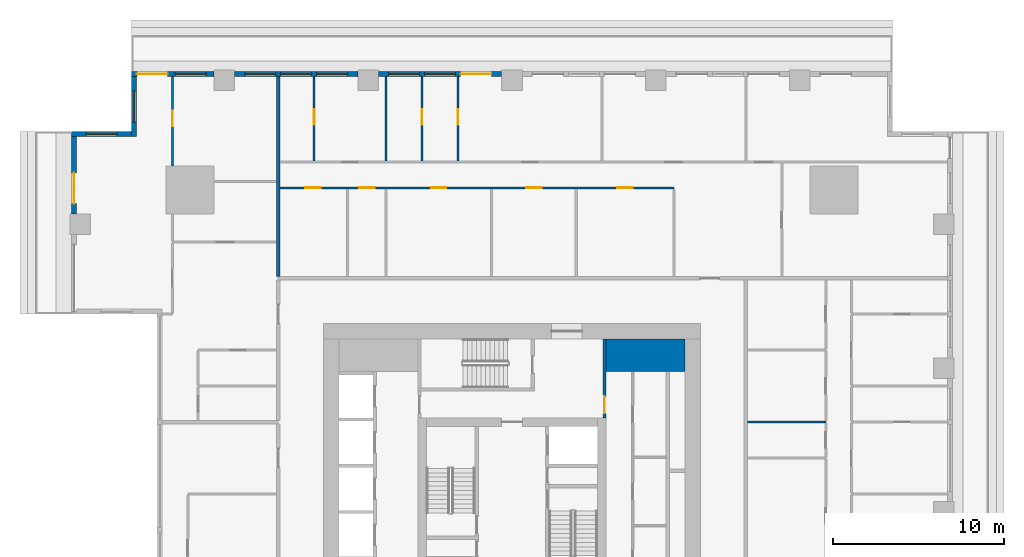
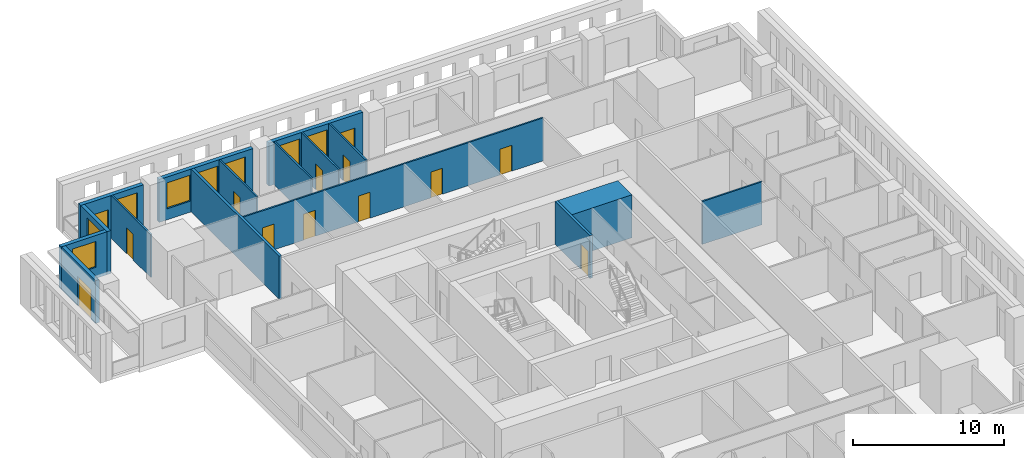
# One storey, part 7 of 14: 16 walls, 13 doors, 8 windows, 21 openings.
"""IFC4 building model written with IfcOpenShell, lengths in metres."""

from ifc_helpers import new_model, si_unit, direction, frame, frame_2d, origin, place, context, subcontext, project, spatial, rectangle, extrude, material, layer, layer_set, type_object, element, fill, save


model = new_model("IFC4")

# Units and contexts
model_context = context("Model", 3, precision=1e-05, world=origin(), true_north=direction((0.0, 1.0)))
body_context = subcontext(model_context, "Body", "Model", "MODEL_VIEW")
ifc_project = project(units=[si_unit("LENGTHUNIT", "METRE"), si_unit("AREAUNIT", "SQUARE_METRE"), si_unit("VOLUMEUNIT", "CUBIC_METRE"), si_unit("PLANEANGLEUNIT", "RADIAN"), si_unit("MASSUNIT", "GRAM", prefix="KILO")], contexts=[model_context])

# Site, building, storey
site_placement = place(None, origin())
site = spatial("IfcSite", under=ifc_project, at=site_placement, CompositionType="ELEMENT")
building_placement = place(site_placement, origin())
building = spatial("IfcBuilding", under=site, at=building_placement, Name="Khepri Terraces", CompositionType="ELEMENT")
storey_placement = place(building_placement, frame((0.0, 0.0, 114.300048828125)))
storey = spatial("IfcBuildingStorey", under=building, at=storey_placement, Name="L27", CompositionType="ELEMENT", Elevation=114.300048828125)

# Wall
ifc_material_1 = material(Name="Concrete C70/85", Category="concrete")
ifc_layer_1 = layer(ifc_material_1, 1.89990234375, Name="Concrete C70/85", Category="concrete")
ifc_layer_set_1 = layer_set([ifc_layer_1], Name="Concrete C70/85")
wall_type_1 = type_object("IfcWallType", Name="Core wall 1900 C70/85", PredefinedType="SHEAR", material=ifc_layer_set_1)
wall_1_placement = place(storey_placement, frame((5.5, 9.14990234375, 0.0), z_axis=(0.0, 0.0, 1.0), x_axis=(1.0, 0.0, 0.0)))
element("IfcWall", 1, at=wall_1_placement, inside=storey, type_object=wall_type_1, Name="Core wall PR04 L27", PredefinedType="SHEAR", context=body_context, shape_type="SweptSolid", body=[
    extrude(rectangle(XDim=4.60009765625, YDim=1.89990234375, at=frame_2d((2.300048828125, 0.0))), origin(), (0.0, 0.0, 1.0), 3.47998046875),
])

# Wall, opening, door
ifc_material_2 = material(Name="Fire-rated gypsum board partition")
ifc_layer_2 = layer(ifc_material_2, 0.199951171875, Name="Fire-rated gypsum board partition")
ifc_layer_set_2 = layer_set([ifc_layer_2], Name="Fire-rated gypsum board partition")
wall_type_2 = type_object("IfcWallType", Name="WL-CORE-PART-200", PredefinedType="PARTITIONING", material=ifc_layer_set_2)
wall_2_placement = place(storey_placement, frame((5.39990234375, 5.5, 0.0), z_axis=(0.0, 0.0, 1.0), x_axis=(0.0, 1.0, 0.0)))
wall_2 = element("IfcWall", 2, at=wall_2_placement, inside=storey, type_object=wall_type_2, Name="Core partition PT08 L27", PredefinedType="PARTITIONING", context=body_context, shape_type="SweptSolid", body=[
    extrude(rectangle(XDim=4.60009765625, YDim=0.199951171875, at=frame_2d((2.300048828125, 0.0))), origin(), (0.0, 0.0, 1.0), 3.47998046875),
])
opening_1_placement = place(wall_2_placement, frame((0.25, 0.0, 0.0)))
opening_1 = element("IfcOpeningElement", 3, at=opening_1_placement, cuts=wall_2, Name="Opening L27-C17", PredefinedType="OPENING", context=body_context, shape_type="SweptSolid", body=[
    extrude(rectangle(XDim=1.0, YDim=2.10009765625, at=frame_2d((0.5, 1.050048828125))), frame((0.0, 0.10986328125, 0.0), z_axis=(0.0, -1.0, 0.0), x_axis=(1.0, 0.0, 0.0)), (0.0, 0.0, 1.0), 0.219970703125),
])
ifc_material_3 = material(Name="Painted steel", Category="steel")
door_type_1 = type_object("IfcDoorType", Name="DR-CORE-LOBBY-1000", OperationType="NOTDEFINED", PredefinedType="DOOR", material=ifc_material_3)
door_1_placement = place(opening_1_placement, origin())
door_1 = element("IfcDoor", 4, at=door_1_placement, inside=storey, type_object=door_type_1, Name="Lobby door L27-C17", OperationType="SINGLE_SWING_LEFT", OverallHeight=2.10009765625, OverallWidth=1.0, PredefinedType="DOOR", context=body_context, shape_type="SweptSolid", body=[
    extrude(rectangle(XDim=1.0, YDim=2.10009765625, at=frame_2d((0.5, 1.050048828125))), frame((0.0, 0.02490234375, 0.0), z_axis=(0.0, -1.0, 0.0), x_axis=(1.0, 0.0, 0.0)), (0.0, 0.0, 1.0), 0.050048828125),
])
fill(opening_1, door_1)

# Wall
ifc_material_4 = material(Name="Fire-rated gypsum plasterboard partition, mineral wool")
ifc_layer_3 = layer(ifc_material_4, 0.199951171875, Name="Fire-rated gypsum plasterboard partition, mineral wool")
ifc_layer_set_3 = layer_set([ifc_layer_3], Name="Fire-rated gypsum plasterboard partition, mineral wool")
wall_type_3 = type_object("IfcWallType", Name="WL-CORR-200", PredefinedType="PARTITIONING", material=ifc_layer_set_3)
wall_3_placement = place(storey_placement, frame((-13.64990234375, 13.75, 0.0), z_axis=(0.0, 0.0, 1.0), x_axis=(0.0, 1.0, 0.0)))
element("IfcWall", 5, at=wall_3_placement, inside=storey, type_object=wall_type_3, Name="Partition P-068 L27", PredefinedType="PARTITIONING", context=body_context, shape_type="SweptSolid", body=[
    extrude(rectangle(XDim=11.669921875, YDim=0.199951171875, at=frame_2d((5.8349609375, 0.0))), origin(), (0.0, 0.0, 1.0), 3.47998046875),
])

# Wall, openings, door, windows
ifc_material_5 = material(Name="Precast concrete C50/60 warm stone", Category="masonry")
ifc_layer_4 = layer(ifc_material_5, 0.300048828125, Name="Precast concrete C50/60 warm stone", Category="masonry")
ifc_layer_set_4 = layer_set([ifc_layer_4], Name="Precast concrete C50/60 warm stone")
wall_type_4 = type_object("IfcWallType", Name="WL-EXT-PRECAST-300", PredefinedType="STANDARD", material=ifc_layer_set_4)
wall_4_placement = place(storey_placement, frame((-0.60009765625, 25.570068359375, 0.0), z_axis=(0.0, 0.0, 1.0), x_axis=(-1.0, 0.0, 0.0)))
wall_4 = element("IfcWall", 6, at=wall_4_placement, inside=storey, type_object=wall_type_4, Name="External wall L27 N", PredefinedType="STANDARD", context=body_context, shape_type="SweptSolid", body=[
    extrude(rectangle(XDim=7.199951171875, YDim=0.300048828125, at=frame_2d((3.60009765625, 0.0))), origin(), (0.0, 0.0, 1.0), 3.47998046875),
])
opening_2_placement = place(wall_4_placement, frame((0.60009765625, 0.0, 0.0)))
opening_2 = element("IfcOpeningElement", 7, at=opening_2_placement, cuts=wall_4, Name="Opening ED-L27-10", PredefinedType="OPENING", context=body_context, shape_type="SweptSolid", body=[
    extrude(rectangle(XDim=1.800048828125, YDim=2.39990234375, at=frame_2d((0.89990234375, 1.199951171875))), frame((0.0, 0.16015625, 0.0), z_axis=(0.0, -1.0, 0.0), x_axis=(1.0, 0.0, 0.0)), (0.0, 0.0, 1.0), 0.320068359375),
])
opening_3_placement = place(wall_4_placement, frame((2.699951171875, 0.0, 0.89990234375)))
opening_3 = element("IfcOpeningElement", 8, at=opening_3_placement, cuts=wall_4, Name="Opening W1", PredefinedType="OPENING", context=body_context, shape_type="SweptSolid", body=[
    extrude(rectangle(XDim=1.800048828125, YDim=2.10009765625, at=frame_2d((0.89990234375, 1.050048828125))), frame((0.0, 0.16015625, 0.0), z_axis=(0.0, -1.0, 0.0), x_axis=(1.0, 0.0, 0.0)), (0.0, 0.0, 1.0), 0.320068359375),
])
opening_4_placement = place(wall_4_placement, frame((4.800048828125, 0.0, 0.89990234375)))
opening_4 = element("IfcOpeningElement", 9, at=opening_4_placement, cuts=wall_4, Name="Opening W1", PredefinedType="OPENING", context=body_context, shape_type="SweptSolid", body=[
    extrude(rectangle(XDim=1.800048828125, YDim=2.10009765625, at=frame_2d((0.89990234375, 1.050048828125))), frame((0.0, 0.16015625, 0.0), z_axis=(0.0, -1.0, 0.0), x_axis=(1.0, 0.0, 0.0)), (0.0, 0.0, 1.0), 0.320068359375),
])
ifc_material_6 = material(Name="Anodised aluminium bronze glazed door", Category="aluminium")
door_type_2 = type_object("IfcDoorType", Name="DR-BAL-SLIDE-1800x2400", OperationType="NOTDEFINED", PredefinedType="DOOR", material=ifc_material_6)
door_2_placement = place(opening_2_placement, origin())
door_2 = element("IfcDoor", 10, at=door_2_placement, inside=storey, type_object=door_type_2, Name="Balcony door L27 N", OperationType="SLIDING_TO_LEFT", OverallHeight=2.39990234375, OverallWidth=1.800048828125, PredefinedType="DOOR", context=body_context, shape_type="SweptSolid", body=[
    extrude(rectangle(XDim=1.800048828125, YDim=2.39990234375, at=frame_2d((0.89990234375, 1.199951171875))), frame((0.0, 0.02490234375, 0.0), z_axis=(0.0, -1.0, 0.0), x_axis=(1.0, 0.0, 0.0)), (0.0, 0.0, 1.0), 0.050048828125),
])
fill(opening_2, door_2)
ifc_material_7 = material(Name="Clear glass", Category="glass")
window_type = type_object("IfcWindowType", Name="WIN-RES-1800x2100", PartitioningType="SINGLE_PANEL", PredefinedType="WINDOW", material=ifc_material_7)
window_1_placement = place(opening_3_placement, origin())
window_1 = element("IfcWindow", 11, at=window_1_placement, inside=storey, type_object=window_type, Name="Window L27 N", OverallHeight=2.10009765625, OverallWidth=1.800048828125, PartitioningType="SINGLE_PANEL", PredefinedType="WINDOW", context=body_context, shape_type="SweptSolid", body=[
    extrude(rectangle(XDim=1.800048828125, YDim=2.10009765625, at=frame_2d((0.89990234375, 1.050048828125))), frame((0.0, 0.030029296875, 0.0), z_axis=(0.0, -1.0, 0.0), x_axis=(1.0, 0.0, 0.0)), (0.0, 0.0, 1.0), 0.06005859375),
])
fill(opening_3, window_1)
window_2_placement = place(opening_4_placement, origin())
window_2 = element("IfcWindow", 12, at=window_2_placement, inside=storey, type_object=window_type, Name="Window L27 N", OverallHeight=2.10009765625, OverallWidth=1.800048828125, PartitioningType="SINGLE_PANEL", PredefinedType="WINDOW", context=body_context, shape_type="SweptSolid", body=[
    extrude(rectangle(XDim=1.800048828125, YDim=2.10009765625, at=frame_2d((0.89990234375, 1.050048828125))), frame((0.0, 0.030029296875, 0.0), z_axis=(0.0, -1.0, 0.0), x_axis=(1.0, 0.0, 0.0)), (0.0, 0.0, 1.0), 0.06005859375),
])
fill(opening_4, window_2)

# Wall, openings, windows
wall_5_placement = place(storey_placement, frame((-9.0, 25.570068359375, 0.0), z_axis=(0.0, 0.0, 1.0), x_axis=(-1.0, 0.0, 0.0)))
wall_5 = element("IfcWall", 13, at=wall_5_placement, inside=storey, type_object=wall_type_4, Name="External wall L27 N", PredefinedType="STANDARD", context=body_context, shape_type="SweptSolid", body=[
    extrude(rectangle(XDim=7.199951171875, YDim=0.300048828125, at=frame_2d((3.60009765625, 0.0))), origin(), (0.0, 0.0, 1.0), 3.47998046875),
])
opening_5_placement = place(wall_5_placement, frame((0.60009765625, 0.0, 0.89990234375)))
opening_5 = element("IfcOpeningElement", 14, at=opening_5_placement, cuts=wall_5, Name="Opening W1", PredefinedType="OPENING", context=body_context, shape_type="SweptSolid", body=[
    extrude(rectangle(XDim=1.800048828125, YDim=2.10009765625, at=frame_2d((0.89990234375, 1.050048828125))), frame((0.0, 0.16015625, 0.0), z_axis=(0.0, -1.0, 0.0), x_axis=(1.0, 0.0, 0.0)), (0.0, 0.0, 1.0), 0.320068359375),
])
opening_6_placement = place(wall_5_placement, frame((2.699951171875, 0.0, 0.89990234375)))
opening_6 = element("IfcOpeningElement", 15, at=opening_6_placement, cuts=wall_5, Name="Opening W1", PredefinedType="OPENING", context=body_context, shape_type="SweptSolid", body=[
    extrude(rectangle(XDim=1.800048828125, YDim=2.10009765625, at=frame_2d((0.89990234375, 1.050048828125))), frame((0.0, 0.16015625, 0.0), z_axis=(0.0, -1.0, 0.0), x_axis=(1.0, 0.0, 0.0)), (0.0, 0.0, 1.0), 0.320068359375),
])
opening_7_placement = place(wall_5_placement, frame((4.800048828125, 0.0, 0.89990234375)))
opening_7 = element("IfcOpeningElement", 16, at=opening_7_placement, cuts=wall_5, Name="Opening W1", PredefinedType="OPENING", context=body_context, shape_type="SweptSolid", body=[
    extrude(rectangle(XDim=1.800048828125, YDim=2.10009765625, at=frame_2d((0.89990234375, 1.050048828125))), frame((0.0, 0.16015625, 0.0), z_axis=(0.0, -1.0, 0.0), x_axis=(1.0, 0.0, 0.0)), (0.0, 0.0, 1.0), 0.320068359375),
])
window_3_placement = place(opening_5_placement, origin())
window_3 = element("IfcWindow", 17, at=window_3_placement, inside=storey, type_object=window_type, Name="Window L27 N", OverallHeight=2.10009765625, OverallWidth=1.800048828125, PartitioningType="SINGLE_PANEL", PredefinedType="WINDOW", context=body_context, shape_type="SweptSolid", body=[
    extrude(rectangle(XDim=1.800048828125, YDim=2.10009765625, at=frame_2d((0.89990234375, 1.050048828125))), frame((0.0, 0.030029296875, 0.0), z_axis=(0.0, -1.0, 0.0), x_axis=(1.0, 0.0, 0.0)), (0.0, 0.0, 1.0), 0.06005859375),
])
fill(opening_5, window_3)
window_4_placement = place(opening_6_placement, origin())
window_4 = element("IfcWindow", 18, at=window_4_placement, inside=storey, type_object=window_type, Name="Window L27 N", OverallHeight=2.10009765625, OverallWidth=1.800048828125, PartitioningType="SINGLE_PANEL", PredefinedType="WINDOW", context=body_context, shape_type="SweptSolid", body=[
    extrude(rectangle(XDim=1.800048828125, YDim=2.10009765625, at=frame_2d((0.89990234375, 1.050048828125))), frame((0.0, 0.030029296875, 0.0), z_axis=(0.0, -1.0, 0.0), x_axis=(1.0, 0.0, 0.0)), (0.0, 0.0, 1.0), 0.06005859375),
])
fill(opening_6, window_4)
window_5_placement = place(opening_7_placement, origin())
window_5 = element("IfcWindow", 19, at=window_5_placement, inside=storey, type_object=window_type, Name="Window L27 N", OverallHeight=2.10009765625, OverallWidth=1.800048828125, PartitioningType="SINGLE_PANEL", PredefinedType="WINDOW", context=body_context, shape_type="SweptSolid", body=[
    extrude(rectangle(XDim=1.800048828125, YDim=2.10009765625, at=frame_2d((0.89990234375, 1.050048828125))), frame((0.0, 0.030029296875, 0.0), z_axis=(0.0, -1.0, 0.0), x_axis=(1.0, 0.0, 0.0)), (0.0, 0.0, 1.0), 0.06005859375),
])
fill(opening_7, window_5)

# Wall, openings, door, window
wall_6_placement = place(storey_placement, frame((-17.39990234375, 25.570068359375, 0.0), z_axis=(0.0, 0.0, 1.0), x_axis=(-1.0, 0.0, 0.0)))
wall_6 = element("IfcWall", 20, at=wall_6_placement, inside=storey, type_object=wall_type_4, Name="External wall L27 N", PredefinedType="STANDARD", context=body_context, shape_type="SweptSolid", body=[
    extrude(rectangle(XDim=4.820068359375, YDim=0.300048828125, at=frame_2d((2.41015625, 0.0))), origin(), (0.0, 0.0, 1.0), 3.47998046875),
])
opening_8_placement = place(wall_6_placement, frame((2.699951171875, 0.0, 0.0)))
opening_8 = element("IfcOpeningElement", 21, at=opening_8_placement, cuts=wall_6, Name="Opening ED-L27-11", PredefinedType="OPENING", context=body_context, shape_type="SweptSolid", body=[
    extrude(rectangle(XDim=1.800048828125, YDim=2.39990234375, at=frame_2d((0.89990234375, 1.199951171875))), frame((0.0, 0.16015625, 0.0), z_axis=(0.0, -1.0, 0.0), x_axis=(1.0, 0.0, 0.0)), (0.0, 0.0, 1.0), 0.320068359375),
])
opening_9_placement = place(wall_6_placement, frame((0.4599609375, 0.0, 0.89990234375)))
opening_9 = element("IfcOpeningElement", 22, at=opening_9_placement, cuts=wall_6, Name="Opening W1", PredefinedType="OPENING", context=body_context, shape_type="SweptSolid", body=[
    extrude(rectangle(XDim=1.800048828125, YDim=2.10009765625, at=frame_2d((0.89990234375, 1.050048828125))), frame((0.0, 0.16015625, 0.0), z_axis=(0.0, -1.0, 0.0), x_axis=(1.0, 0.0, 0.0)), (0.0, 0.0, 1.0), 0.320068359375),
])
door_3_placement = place(opening_8_placement, origin())
door_3 = element("IfcDoor", 23, at=door_3_placement, inside=storey, type_object=door_type_2, Name="Balcony door L27 N", OperationType="SLIDING_TO_LEFT", OverallHeight=2.39990234375, OverallWidth=1.800048828125, PredefinedType="DOOR", context=body_context, shape_type="SweptSolid", body=[
    extrude(rectangle(XDim=1.800048828125, YDim=2.39990234375, at=frame_2d((0.89990234375, 1.199951171875))), frame((0.0, 0.02490234375, 0.0), z_axis=(0.0, -1.0, 0.0), x_axis=(1.0, 0.0, 0.0)), (0.0, 0.0, 1.0), 0.050048828125),
])
fill(opening_8, door_3)
window_6_placement = place(opening_9_placement, origin())
window_6 = element("IfcWindow", 24, at=window_6_placement, inside=storey, type_object=window_type, Name="Window L27 N", OverallHeight=2.10009765625, OverallWidth=1.800048828125, PartitioningType="SINGLE_PANEL", PredefinedType="WINDOW", context=body_context, shape_type="SweptSolid", body=[
    extrude(rectangle(XDim=1.800048828125, YDim=2.10009765625, at=frame_2d((0.89990234375, 1.050048828125))), frame((0.0, 0.030029296875, 0.0), z_axis=(0.0, -1.0, 0.0), x_axis=(1.0, 0.0, 0.0)), (0.0, 0.0, 1.0), 0.06005859375),
])
fill(opening_9, window_6)

# Wall, opening, window
wall_7_placement = place(storey_placement, frame((-22.070068359375, 25.419921875, 0.0), z_axis=(0.0, 0.0, 1.0), x_axis=(0.0, -1.0, 0.0)))
wall_7 = element("IfcWall", 25, at=wall_7_placement, inside=storey, type_object=wall_type_4, Name="External wall L27 W", PredefinedType="STANDARD", context=body_context, shape_type="SweptSolid", body=[
    extrude(rectangle(XDim=3.5, YDim=0.300048828125, at=frame_2d((1.75, 0.0))), origin(), (0.0, 0.0, 1.0), 3.47998046875),
])
opening_10_placement = place(wall_7_placement, frame((0.85009765625, 0.0, 0.89990234375)))
opening_10 = element("IfcOpeningElement", 26, at=opening_10_placement, cuts=wall_7, Name="Opening W1", PredefinedType="OPENING", context=body_context, shape_type="SweptSolid", body=[
    extrude(rectangle(XDim=1.800048828125, YDim=2.10009765625, at=frame_2d((0.89990234375, 1.050048828125))), frame((0.0, 0.16015625, 0.0), z_axis=(0.0, -1.0, 0.0), x_axis=(1.0, 0.0, 0.0)), (0.0, 0.0, 1.0), 0.320068359375),
])
window_7_placement = place(opening_10_placement, origin())
window_7 = element("IfcWindow", 27, at=window_7_placement, inside=storey, type_object=window_type, Name="Window L27 W", OverallHeight=2.10009765625, OverallWidth=1.800048828125, PartitioningType="SINGLE_PANEL", PredefinedType="WINDOW", context=body_context, shape_type="SweptSolid", body=[
    extrude(rectangle(XDim=1.800048828125, YDim=2.10009765625, at=frame_2d((0.89990234375, 1.050048828125))), frame((0.0, 0.030029296875, 0.0), z_axis=(0.0, -1.0, 0.0), x_axis=(1.0, 0.0, 0.0)), (0.0, 0.0, 1.0), 0.06005859375),
])
fill(opening_10, window_7)

wall_8_placement = place(storey_placement, frame((-22.219970703125, 22.070068359375, 0.0), z_axis=(0.0, 0.0, 1.0), x_axis=(-1.0, 0.0, 0.0)))
wall_8 = element("IfcWall", 28, at=wall_8_placement, inside=storey, type_object=wall_type_4, Name="External wall L27 N", PredefinedType="STANDARD", context=body_context, shape_type="SweptSolid", body=[
    extrude(rectangle(XDim=3.5, YDim=0.300048828125, at=frame_2d((1.75, 0.0))), origin(), (0.0, 0.0, 1.0), 3.47998046875),
])
opening_11_placement = place(wall_8_placement, frame((0.85009765625, 0.0, 0.89990234375)))
opening_11 = element("IfcOpeningElement", 29, at=opening_11_placement, cuts=wall_8, Name="Opening W1", PredefinedType="OPENING", context=body_context, shape_type="SweptSolid", body=[
    extrude(rectangle(XDim=1.800048828125, YDim=2.10009765625, at=frame_2d((0.89990234375, 1.050048828125))), frame((0.0, 0.16015625, 0.0), z_axis=(0.0, -1.0, 0.0), x_axis=(1.0, 0.0, 0.0)), (0.0, 0.0, 1.0), 0.320068359375),
])
window_8_placement = place(opening_11_placement, origin())
window_8 = element("IfcWindow", 30, at=window_8_placement, inside=storey, type_object=window_type, Name="Window L27 N", OverallHeight=2.10009765625, OverallWidth=1.800048828125, PartitioningType="SINGLE_PANEL", PredefinedType="WINDOW", context=body_context, shape_type="SweptSolid", body=[
    extrude(rectangle(XDim=1.800048828125, YDim=2.10009765625, at=frame_2d((0.89990234375, 1.050048828125))), frame((0.0, 0.030029296875, 0.0), z_axis=(0.0, -1.0, 0.0), x_axis=(1.0, 0.0, 0.0)), (0.0, 0.0, 1.0), 0.06005859375),
])
fill(opening_11, window_8)

# Wall, opening, door
wall_9_placement = place(storey_placement, frame((-25.570068359375, 21.919921875, 0.0), z_axis=(0.0, 0.0, 1.0), x_axis=(0.0, -1.0, 0.0)))
wall_9 = element("IfcWall", 31, at=wall_9_placement, inside=storey, type_object=wall_type_4, Name="External wall L27 W", PredefinedType="STANDARD", context=body_context, shape_type="SweptSolid", body=[
    extrude(rectangle(XDim=4.52001953125, YDim=0.300048828125, at=frame_2d((2.260009765625, 0.0))), origin(), (0.0, 0.0, 1.0), 3.47998046875),
])
opening_12_placement = place(wall_9_placement, frame((2.1201171875, 0.0, 0.0)))
opening_12 = element("IfcOpeningElement", 32, at=opening_12_placement, cuts=wall_9, Name="Opening ED-L27-12", PredefinedType="OPENING", context=body_context, shape_type="SweptSolid", body=[
    extrude(rectangle(XDim=1.800048828125, YDim=2.39990234375, at=frame_2d((0.89990234375, 1.199951171875))), frame((0.0, 0.16015625, 0.0), z_axis=(0.0, -1.0, 0.0), x_axis=(1.0, 0.0, 0.0)), (0.0, 0.0, 1.0), 0.320068359375),
])
door_4_placement = place(opening_12_placement, origin())
door_4 = element("IfcDoor", 33, at=door_4_placement, inside=storey, type_object=door_type_2, Name="Balcony door L27 W", OperationType="SLIDING_TO_RIGHT", OverallHeight=2.39990234375, OverallWidth=1.800048828125, PredefinedType="DOOR", context=body_context, shape_type="SweptSolid", body=[
    extrude(rectangle(XDim=1.800048828125, YDim=2.39990234375, at=frame_2d((0.89990234375, 1.199951171875))), frame((0.0, 0.02490234375, 0.0), z_axis=(0.0, -1.0, 0.0), x_axis=(1.0, 0.0, 0.0)), (0.0, 0.0, 1.0), 0.050048828125),
])
fill(opening_12, door_4)

# Wall
ifc_material_8 = material(Name="Gypsum plasterboard partition")
ifc_layer_5 = layer(ifc_material_8, 0.1201171875, Name="Gypsum plasterboard partition")
ifc_layer_set_5 = layer_set([ifc_layer_5], Name="Gypsum plasterboard partition")
wall_type_5 = type_object("IfcWallType", Name="WL-PART-120", PredefinedType="PARTITIONING", material=ifc_layer_set_5)
wall_10_placement = place(storey_placement, frame((13.75, 5.25, 0.0), z_axis=(0.0, 0.0, 1.0), x_axis=(1.0, 0.0, 0.0)))
element("IfcWall", 34, at=wall_10_placement, inside=storey, type_object=wall_type_5, Name="Partition P-050 L27", PredefinedType="PARTITIONING", context=body_context, shape_type="SweptSolid", body=[
    extrude(rectangle(XDim=4.570068359375, YDim=0.1201171875, at=frame_2d((2.28515625, 0.0))), origin(), (0.0, 0.0, 1.0), 3.47998046875),
])

# Wall, openings, doors
wall_11_placement = place(storey_placement, frame((-13.550048828125, 18.919921875, 0.0), z_axis=(0.0, 0.0, 1.0), x_axis=(1.0, 0.0, 0.0)))
wall_11 = element("IfcWall", 35, at=wall_11_placement, inside=storey, type_object=wall_type_5, Name="Partition P-077 L27", PredefinedType="PARTITIONING", context=body_context, shape_type="SweptSolid", body=[
    extrude(rectangle(XDim=23.0, YDim=0.1201171875, at=frame_2d((11.5, 0.0))), origin(), (0.0, 0.0, 1.0), 3.47998046875),
])
opening_13_placement = place(wall_11_placement, frame((19.699951171875, 0.0, 0.0)))
opening_13 = element("IfcOpeningElement", 36, at=opening_13_placement, cuts=wall_11, Name="Opening D3", PredefinedType="OPENING", context=body_context, shape_type="SweptSolid", body=[
    extrude(rectangle(XDim=0.89990234375, YDim=2.10009765625, at=frame_2d((0.449951171875, 1.050048828125))), frame((0.0, 0.070068359375, 0.0), z_axis=(0.0, -1.0, 0.0), x_axis=(1.0, 0.0, 0.0)), (0.0, 0.0, 1.0), 0.14013671875),
])
opening_14_placement = place(wall_11_placement, frame((14.375, 0.0, 0.0)))
opening_14 = element("IfcOpeningElement", 37, at=opening_14_placement, cuts=wall_11, Name="Opening D3", PredefinedType="OPENING", context=body_context, shape_type="SweptSolid", body=[
    extrude(rectangle(XDim=0.89990234375, YDim=2.10009765625, at=frame_2d((0.449951171875, 1.050048828125))), frame((0.0, 0.070068359375, 0.0), z_axis=(0.0, -1.0, 0.0), x_axis=(1.0, 0.0, 0.0)), (0.0, 0.0, 1.0), 0.14013671875),
])
opening_15_placement = place(wall_11_placement, frame((8.824951171875, 0.0, 0.0)))
opening_15 = element("IfcOpeningElement", 38, at=opening_15_placement, cuts=wall_11, Name="Opening D3", PredefinedType="OPENING", context=body_context, shape_type="SweptSolid", body=[
    extrude(rectangle(XDim=0.89990234375, YDim=2.10009765625, at=frame_2d((0.449951171875, 1.050048828125))), frame((0.0, 0.070068359375, 0.0), z_axis=(0.0, -1.0, 0.0), x_axis=(1.0, 0.0, 0.0)), (0.0, 0.0, 1.0), 0.14013671875),
])
opening_16_placement = place(wall_11_placement, frame((4.625, 0.0, 0.0)))
opening_16 = element("IfcOpeningElement", 39, at=opening_16_placement, cuts=wall_11, Name="Opening D4", PredefinedType="OPENING", context=body_context, shape_type="SweptSolid", body=[
    extrude(rectangle(XDim=0.89990234375, YDim=2.10009765625, at=frame_2d((0.449951171875, 1.050048828125))), frame((0.0, 0.070068359375, 0.0), z_axis=(0.0, -1.0, 0.0), x_axis=(1.0, 0.0, 0.0)), (0.0, 0.0, 1.0), 0.14013671875),
])
opening_17_placement = place(wall_11_placement, frame((1.47509765625, 0.0, 0.0)))
opening_17 = element("IfcOpeningElement", 40, at=opening_17_placement, cuts=wall_11, Name="Opening D4", PredefinedType="OPENING", context=body_context, shape_type="SweptSolid", body=[
    extrude(rectangle(XDim=0.89990234375, YDim=2.10009765625, at=frame_2d((0.449951171875, 1.050048828125))), frame((0.0, 0.070068359375, 0.0), z_axis=(0.0, -1.0, 0.0), x_axis=(1.0, 0.0, 0.0)), (0.0, 0.0, 1.0), 0.14013671875),
])
ifc_material_9 = material(Name="Timber door leaf", Category="wood")
door_type_3 = type_object("IfcDoorType", Name="DR-INT-900", OperationType="NOTDEFINED", PredefinedType="DOOR", material=ifc_material_9)
door_5_placement = place(opening_13_placement, frame((0.89990234375, 0.0, 0.0), z_axis=(0.0, 0.0, 1.0), x_axis=(-1.0, 0.0, 0.0)))
door_5 = element("IfcDoor", 41, at=door_5_placement, inside=storey, type_object=door_type_3, Name="Door Kitchen", OperationType="SINGLE_SWING_LEFT", OverallHeight=2.10009765625, OverallWidth=0.89990234375, PredefinedType="DOOR", context=body_context, shape_type="SweptSolid", body=[
    extrude(rectangle(XDim=0.89990234375, YDim=2.10009765625, at=frame_2d((0.449951171875, 1.050048828125))), frame((0.0, 0.02490234375, 0.0), z_axis=(0.0, -1.0, 0.0), x_axis=(1.0, 0.0, 0.0)), (0.0, 0.0, 1.0), 0.050048828125),
])
fill(opening_13, door_5)
door_6_placement = place(opening_14_placement, frame((0.89990234375, 0.0, 0.0), z_axis=(0.0, 0.0, 1.0), x_axis=(-1.0, 0.0, 0.0)))
door_6 = element("IfcDoor", 42, at=door_6_placement, inside=storey, type_object=door_type_3, Name="Door Service Kitchen", OperationType="SINGLE_SWING_LEFT", OverallHeight=2.10009765625, OverallWidth=0.89990234375, PredefinedType="DOOR", context=body_context, shape_type="SweptSolid", body=[
    extrude(rectangle(XDim=0.89990234375, YDim=2.10009765625, at=frame_2d((0.449951171875, 1.050048828125))), frame((0.0, 0.02490234375, 0.0), z_axis=(0.0, -1.0, 0.0), x_axis=(1.0, 0.0, 0.0)), (0.0, 0.0, 1.0), 0.050048828125),
])
fill(opening_14, door_6)
door_7_placement = place(opening_15_placement, frame((0.89990234375, 0.0, 0.0), z_axis=(0.0, 0.0, 1.0), x_axis=(-1.0, 0.0, 0.0)))
door_7 = element("IfcDoor", 43, at=door_7_placement, inside=storey, type_object=door_type_3, Name="Door Staff Bedroom", OperationType="SINGLE_SWING_RIGHT", OverallHeight=2.10009765625, OverallWidth=0.89990234375, PredefinedType="DOOR", context=body_context, shape_type="SweptSolid", body=[
    extrude(rectangle(XDim=0.89990234375, YDim=2.10009765625, at=frame_2d((0.449951171875, 1.050048828125))), frame((0.0, 0.02490234375, 0.0), z_axis=(0.0, -1.0, 0.0), x_axis=(1.0, 0.0, 0.0)), (0.0, 0.0, 1.0), 0.050048828125),
])
fill(opening_15, door_7)
ifc_material_10 = material(Name="Timber door leaf, moisture resistant", Category="wood")
door_type_4 = type_object("IfcDoorType", Name="DR-WET-900", OperationType="NOTDEFINED", PredefinedType="DOOR", material=ifc_material_10)
door_8_placement = place(opening_16_placement, frame((0.89990234375, 0.0, 0.0), z_axis=(0.0, 0.0, 1.0), x_axis=(-1.0, 0.0, 0.0)))
door_8 = element("IfcDoor", 44, at=door_8_placement, inside=storey, type_object=door_type_4, Name="Door Powder Room", OperationType="SINGLE_SWING_RIGHT", OverallHeight=2.10009765625, OverallWidth=0.89990234375, PredefinedType="DOOR", context=body_context, shape_type="SweptSolid", body=[
    extrude(rectangle(XDim=0.89990234375, YDim=2.10009765625, at=frame_2d((0.449951171875, 1.050048828125))), frame((0.0, 0.02490234375, 0.0), z_axis=(0.0, -1.0, 0.0), x_axis=(1.0, 0.0, 0.0)), (0.0, 0.0, 1.0), 0.050048828125),
])
fill(opening_16, door_8)
door_9_placement = place(opening_17_placement, frame((0.89990234375, 0.0, 0.0), z_axis=(0.0, 0.0, 1.0), x_axis=(-1.0, 0.0, 0.0)))
door_9 = element("IfcDoor", 45, at=door_9_placement, inside=storey, type_object=door_type_4, Name="Door Guest Bathroom", OperationType="SINGLE_SWING_RIGHT", OverallHeight=2.10009765625, OverallWidth=0.89990234375, PredefinedType="DOOR", context=body_context, shape_type="SweptSolid", body=[
    extrude(rectangle(XDim=0.89990234375, YDim=2.10009765625, at=frame_2d((0.449951171875, 1.050048828125))), frame((0.0, 0.02490234375, 0.0), z_axis=(0.0, -1.0, 0.0), x_axis=(1.0, 0.0, 0.0)), (0.0, 0.0, 1.0), 0.050048828125),
])
fill(opening_17, door_9)

# Wall, opening, door
wall_12_placement = place(storey_placement, frame((-19.820068359375, 20.199951171875, 0.0), z_axis=(0.0, 0.0, 1.0), x_axis=(0.0, 1.0, 0.0)))
wall_12 = element("IfcWall", 46, at=wall_12_placement, inside=storey, type_object=wall_type_5, Name="Partition P-079 L27", PredefinedType="PARTITIONING", context=body_context, shape_type="SweptSolid", body=[
    extrude(rectangle(XDim=5.219970703125, YDim=0.1201171875, at=frame_2d((2.60986328125, 0.0))), origin(), (0.0, 0.0, 1.0), 3.47998046875),
])
opening_18_placement = place(wall_12_placement, frame((2.31005859375, 0.0, 0.0)))
opening_18 = element("IfcOpeningElement", 47, at=opening_18_placement, cuts=wall_12, Name="Opening D3", PredefinedType="OPENING", context=body_context, shape_type="SweptSolid", body=[
    extrude(rectangle(XDim=0.89990234375, YDim=2.10009765625, at=frame_2d((0.449951171875, 1.050048828125))), frame((0.0, 0.070068359375, 0.0), z_axis=(0.0, -1.0, 0.0), x_axis=(1.0, 0.0, 0.0)), (0.0, 0.0, 1.0), 0.14013671875),
])
door_10_placement = place(opening_18_placement, frame((0.89990234375, 0.0, 0.0), z_axis=(0.0, 0.0, 1.0), x_axis=(-1.0, 0.0, 0.0)))
door_10 = element("IfcDoor", 48, at=door_10_placement, inside=storey, type_object=door_type_3, Name="Door Staff Bedroom", OperationType="SINGLE_SWING_LEFT", OverallHeight=2.10009765625, OverallWidth=0.89990234375, PredefinedType="DOOR", context=body_context, shape_type="SweptSolid", body=[
    extrude(rectangle(XDim=0.89990234375, YDim=2.10009765625, at=frame_2d((0.449951171875, 1.050048828125))), frame((0.0, 0.02490234375, 0.0), z_axis=(0.0, -1.0, 0.0), x_axis=(1.0, 0.0, 0.0)), (0.0, 0.0, 1.0), 0.050048828125),
])
fill(opening_18, door_10)

wall_13_placement = place(storey_placement, frame((-11.550048828125, 20.47998046875, 0.0), z_axis=(0.0, 0.0, 1.0), x_axis=(0.0, 1.0, 0.0)))
wall_13 = element("IfcWall", 49, at=wall_13_placement, inside=storey, type_object=wall_type_5, Name="Partition P-081 L27", PredefinedType="PARTITIONING", context=body_context, shape_type="SweptSolid", body=[
    extrude(rectangle(XDim=4.93994140625, YDim=0.1201171875, at=frame_2d((2.469970703125, 0.0))), origin(), (0.0, 0.0, 1.0), 3.47998046875),
])
opening_19_placement = place(wall_13_placement, frame((2.139892578125, 0.0, 0.0)))
opening_19 = element("IfcOpeningElement", 50, at=opening_19_placement, cuts=wall_13, Name="Opening D4", PredefinedType="OPENING", context=body_context, shape_type="SweptSolid", body=[
    extrude(rectangle(XDim=0.89990234375, YDim=2.10009765625, at=frame_2d((0.449951171875, 1.050048828125))), frame((0.0, 0.070068359375, 0.0), z_axis=(0.0, -1.0, 0.0), x_axis=(1.0, 0.0, 0.0)), (0.0, 0.0, 1.0), 0.14013671875),
])
door_11_placement = place(opening_19_placement, origin())
door_11 = element("IfcDoor", 51, at=door_11_placement, inside=storey, type_object=door_type_4, Name="Door Bathroom", OperationType="SINGLE_SWING_RIGHT", OverallHeight=2.10009765625, OverallWidth=0.89990234375, PredefinedType="DOOR", context=body_context, shape_type="SweptSolid", body=[
    extrude(rectangle(XDim=0.89990234375, YDim=2.10009765625, at=frame_2d((0.449951171875, 1.050048828125))), frame((0.0, 0.02490234375, 0.0), z_axis=(0.0, -1.0, 0.0), x_axis=(1.0, 0.0, 0.0)), (0.0, 0.0, 1.0), 0.050048828125),
])
fill(opening_19, door_11)

# Wall
wall_14_placement = place(storey_placement, frame((-7.35009765625, 20.47998046875, 0.0), z_axis=(0.0, 0.0, 1.0), x_axis=(0.0, 1.0, 0.0)))
element("IfcWall", 52, at=wall_14_placement, inside=storey, type_object=wall_type_5, Name="Partition P-082 L27", PredefinedType="PARTITIONING", context=body_context, shape_type="SweptSolid", body=[
    extrude(rectangle(XDim=4.93994140625, YDim=0.1201171875, at=frame_2d((2.469970703125, 0.0))), origin(), (0.0, 0.0, 1.0), 3.47998046875),
])

# Wall, opening, door
wall_15_placement = place(storey_placement, frame((-5.25, 20.47998046875, 0.0), z_axis=(0.0, 0.0, 1.0), x_axis=(0.0, 1.0, 0.0)))
wall_15 = element("IfcWall", 53, at=wall_15_placement, inside=storey, type_object=wall_type_5, Name="Partition P-083 L27", PredefinedType="PARTITIONING", context=body_context, shape_type="SweptSolid", body=[
    extrude(rectangle(XDim=4.93994140625, YDim=0.1201171875, at=frame_2d((2.469970703125, 0.0))), origin(), (0.0, 0.0, 1.0), 3.47998046875),
])
opening_20_placement = place(wall_15_placement, frame((2.139892578125, 0.0, 0.0)))
opening_20 = element("IfcOpeningElement", 54, at=opening_20_placement, cuts=wall_15, Name="Opening D4", PredefinedType="OPENING", context=body_context, shape_type="SweptSolid", body=[
    extrude(rectangle(XDim=0.89990234375, YDim=2.10009765625, at=frame_2d((0.449951171875, 1.050048828125))), frame((0.0, 0.070068359375, 0.0), z_axis=(0.0, -1.0, 0.0), x_axis=(1.0, 0.0, 0.0)), (0.0, 0.0, 1.0), 0.14013671875),
])
door_12_placement = place(opening_20_placement, origin())
door_12 = element("IfcDoor", 55, at=door_12_placement, inside=storey, type_object=door_type_4, Name="Door Bathroom", OperationType="SINGLE_SWING_RIGHT", OverallHeight=2.10009765625, OverallWidth=0.89990234375, PredefinedType="DOOR", context=body_context, shape_type="SweptSolid", body=[
    extrude(rectangle(XDim=0.89990234375, YDim=2.10009765625, at=frame_2d((0.449951171875, 1.050048828125))), frame((0.0, 0.02490234375, 0.0), z_axis=(0.0, -1.0, 0.0), x_axis=(1.0, 0.0, 0.0)), (0.0, 0.0, 1.0), 0.050048828125),
])
fill(opening_20, door_12)

wall_16_placement = place(storey_placement, frame((-3.14990234375, 20.47998046875, 0.0), z_axis=(0.0, 0.0, 1.0), x_axis=(0.0, 1.0, 0.0)))
wall_16 = element("IfcWall", 56, at=wall_16_placement, inside=storey, type_object=wall_type_5, Name="Partition P-084 L27", PredefinedType="PARTITIONING", context=body_context, shape_type="SweptSolid", body=[
    extrude(rectangle(XDim=4.93994140625, YDim=0.1201171875, at=frame_2d((2.469970703125, 0.0))), origin(), (0.0, 0.0, 1.0), 3.47998046875),
])
opening_21_placement = place(wall_16_placement, frame((2.139892578125, 0.0, 0.0)))
opening_21 = element("IfcOpeningElement", 57, at=opening_21_placement, cuts=wall_16, Name="Opening D3", PredefinedType="OPENING", context=body_context, shape_type="SweptSolid", body=[
    extrude(rectangle(XDim=0.89990234375, YDim=2.10009765625, at=frame_2d((0.449951171875, 1.050048828125))), frame((0.0, 0.070068359375, 0.0), z_axis=(0.0, -1.0, 0.0), x_axis=(1.0, 0.0, 0.0)), (0.0, 0.0, 1.0), 0.14013671875),
])
door_13_placement = place(opening_21_placement, origin())
door_13 = element("IfcDoor", 58, at=door_13_placement, inside=storey, type_object=door_type_3, Name="Door Dressing Room", OperationType="SINGLE_SWING_RIGHT", OverallHeight=2.10009765625, OverallWidth=0.89990234375, PredefinedType="DOOR", context=body_context, shape_type="SweptSolid", body=[
    extrude(rectangle(XDim=0.89990234375, YDim=2.10009765625, at=frame_2d((0.449951171875, 1.050048828125))), frame((0.0, 0.02490234375, 0.0), z_axis=(0.0, -1.0, 0.0), x_axis=(1.0, 0.0, 0.0)), (0.0, 0.0, 1.0), 0.050048828125),
])
fill(opening_21, door_13)

save(model, "model.ifc")
